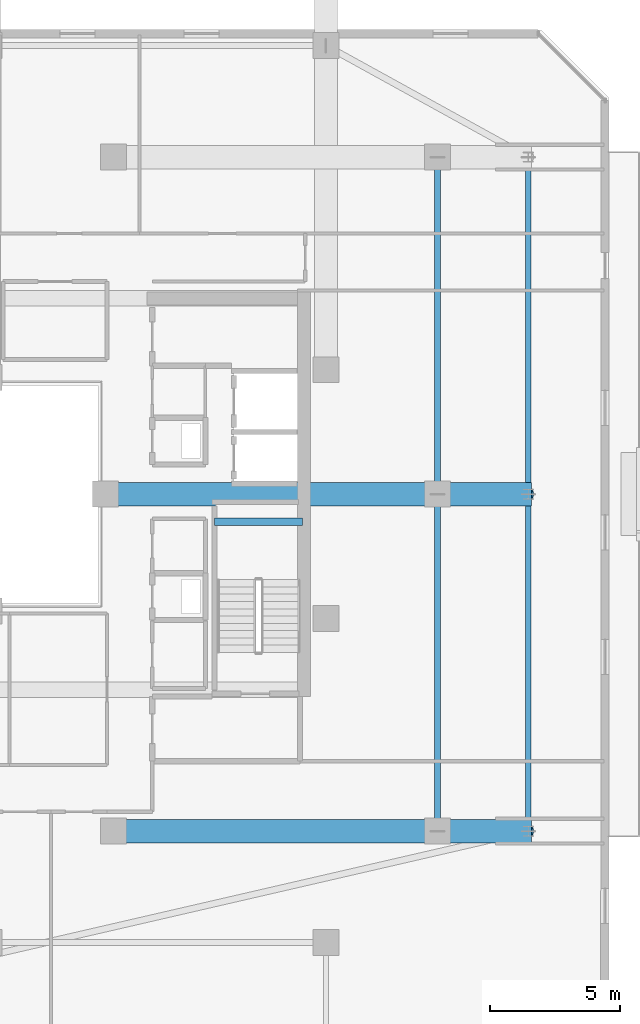
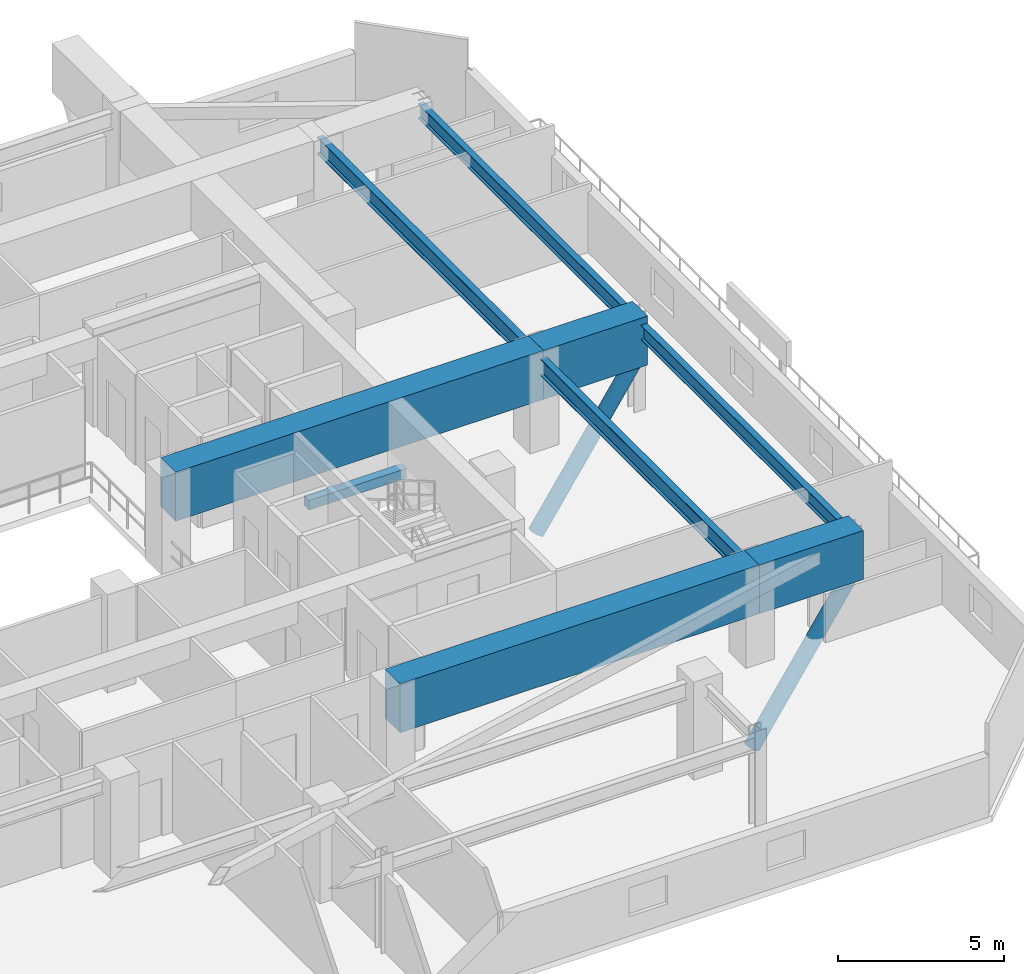
# One storey, part 13 of 34: 9 beams, 2 members.
"""IFC4 building model written with IfcOpenShell, lengths in metres."""

from ifc_helpers import new_model, si_unit, direction, frame, origin, origin_2d, place, context, subcontext, project, spatial, rectangle, hollow_circle, i_section, extrude, material, material_profile, profile_set, type_object, element, save


model = new_model("IFC4")

# Units and contexts
model_context = context("Model", 3, precision=1e-05, world=origin(), true_north=direction((0.0, 1.0)))
body_context = subcontext(model_context, "Body", "Model", "MODEL_VIEW")
ifc_project = project(units=[si_unit("LENGTHUNIT", "METRE"), si_unit("AREAUNIT", "SQUARE_METRE"), si_unit("VOLUMEUNIT", "CUBIC_METRE"), si_unit("PLANEANGLEUNIT", "RADIAN"), si_unit("MASSUNIT", "GRAM", prefix="KILO")], contexts=[model_context])

# Site, building, storey
site_placement = place(None, origin())
site = spatial("IfcSite", under=ifc_project, at=site_placement, CompositionType="ELEMENT")
building_placement = place(site_placement, origin())
building = spatial("IfcBuilding", under=site, at=building_placement, Name="Thornwick Lancets Civic Towers", CompositionType="ELEMENT")
storey_placement = place(building_placement, frame((0.0, 0.0, 251.10009765625)))
storey = spatial("IfcBuildingStorey", under=building, at=storey_placement, Name="L67", CompositionType="ELEMENT", Elevation=251.10009765625)

# Beams
ifc_material_1 = material(Name="Steel S355JR", Category="steel")
ifc_material_profile_1 = material_profile(ifc_material_1, i_section(OverallWidth=0.210693359375, OverallDepth=0.53955078125, WebThickness=0.01171875, FlangeThickness=0.018798828125, FilletRadius=0.0126953125, at=origin_2d()), Name="UKB 533x210x109")
ifc_profile_set_1 = profile_set([ifc_material_profile_1], Name="Steel S355JR")
beam_type_1 = type_object("IfcBeamType", Name="BM_EDGE_533_109", PredefinedType="SPANDREL", material=ifc_profile_set_1)
beam_1_placement = place(storey_placement, frame((109.300048828125, 14.0, 3.0703125), z_axis=(0.0, 1.0, 0.0), x_axis=(-1.0, 0.0, 0.0)))
element("IfcBeam", 1, at=beam_1_placement, inside=storey, type_object=beam_type_1, Name="BM-EDGE-L67-B-S0-1", PredefinedType="SPANDREL", context=body_context, shape_type="SweptSolid", body=[
    extrude(i_section(OverallWidth=0.210693359375, OverallDepth=0.53955078125, WebThickness=0.01171875, FlangeThickness=0.018798828125, FilletRadius=0.0126953125, at=origin_2d()), origin(), (0.0, 0.0, 1.0), 13.0),
])
beam_2_placement = place(storey_placement, frame((109.300048828125, 27.080078125, 3.0703125), z_axis=(0.0, 1.0, 0.0), x_axis=(-1.0, 0.0, 0.0)))
element("IfcBeam", 2, at=beam_2_placement, inside=storey, type_object=beam_type_1, Name="BM-EDGE-L67-B-S0-2", PredefinedType="SPANDREL", context=body_context, shape_type="SweptSolid", body=[
    extrude(i_section(OverallWidth=0.210693359375, OverallDepth=0.53955078125, WebThickness=0.01171875, FlangeThickness=0.018798828125, FilletRadius=0.0126953125, at=origin_2d()), origin(), (0.0, 0.0, 1.0), 12.919921875),
])
ifc_material_profile_2 = material_profile(ifc_material_1, i_section(OverallWidth=0.230224609375, OverallDepth=0.6171875, WebThickness=0.01318359375, FlangeThickness=0.022216796875, FilletRadius=0.0126953125, at=origin_2d()), Name="UKB 610x229x140")
ifc_profile_set_2 = profile_set([ifc_material_profile_2], Name="Steel S355JR")
beam_type_2 = type_object("IfcBeamType", Name="BM_GIRD_610_140", PredefinedType="BEAM", material=ifc_profile_set_2)
beam_3_placement = place(storey_placement, frame((105.800048828125, 14.0, 3.03125), z_axis=(0.0, 1.0, 0.0), x_axis=(-1.0, 0.0, 0.0)))
element("IfcBeam", 3, at=beam_3_placement, inside=storey, type_object=beam_type_2, Name="BM-SPINE-L67-B-0-1", PredefinedType="BEAM", context=body_context, shape_type="SweptSolid", body=[
    extrude(i_section(OverallWidth=0.230224609375, OverallDepth=0.6171875, WebThickness=0.01318359375, FlangeThickness=0.022216796875, FilletRadius=0.0126953125, at=origin_2d()), origin(), (0.0, 0.0, 1.0), 13.0),
])
beam_4_placement = place(storey_placement, frame((105.800048828125, 27.080078125, 3.03125), z_axis=(0.0, 1.0, 0.0), x_axis=(-1.0, 0.0, 0.0)))
element("IfcBeam", 4, at=beam_4_placement, inside=storey, type_object=beam_type_2, Name="BM-SPINE-L67-B-1-2", PredefinedType="BEAM", context=body_context, shape_type="SweptSolid", body=[
    extrude(i_section(OverallWidth=0.230224609375, OverallDepth=0.6171875, WebThickness=0.01318359375, FlangeThickness=0.022216796875, FilletRadius=0.0126953125, at=origin_2d()), origin(), (0.0, 0.0, 1.0), 12.919921875),
])
ifc_material_2 = material(Name="Concrete C40/50", Category="concrete")
ifc_material_profile_3 = material_profile(ifc_material_2, rectangle(XDim=0.300048828125, YDim=0.35009765625, at=origin_2d()), Name="RC 300x350")
ifc_profile_set_3 = profile_set([ifc_material_profile_3], Name="Concrete C40/50")
beam_type_3 = type_object("IfcBeamType", Name="BM_STAIR_LDG", PredefinedType="BEAM", material=ifc_profile_set_3)
beam_5_placement = place(storey_placement, frame((100.60009765625, 25.93505859375, 1.3779296875), z_axis=(-1.0, 0.0, 0.0), x_axis=(0.0, -1.0, 0.0)))
element("IfcBeam", 5, at=beam_5_placement, inside=storey, type_object=beam_type_3, Name="L67 ST-B1 Landing Support Beam 1", PredefinedType="BEAM", context=body_context, shape_type="SweptSolid", body=[
    extrude(rectangle(XDim=0.300048828125, YDim=0.35009765625, at=origin_2d()), origin(), (0.0, 0.0, 1.0), 3.400146484375),
])
ifc_material_3 = material(Name="Concrete C60/75", Category="concrete")
ifc_material_profile_4 = material_profile(ifc_material_3, rectangle(XDim=0.89990234375, YDim=1.800048828125, at=origin_2d()), Name="RC 900x1800")
ifc_profile_set_4 = profile_set([ifc_material_profile_4], Name="Concrete C60/75")
beam_type_4 = type_object("IfcBeamType", Name="BM_TR_RC1800", PredefinedType="BEAM", material=ifc_profile_set_4)
beam_6_placement = place(storey_placement, frame((93.300048828125, 14.0, 2.699951171875), z_axis=(1.0, 0.0, 0.0), x_axis=(0.0, 1.0, 0.0)))
element("IfcBeam", 6, at=beam_6_placement, inside=storey, type_object=beam_type_4, Name="TG-BACK-L68-B01", PredefinedType="BEAM", context=body_context, shape_type="SweptSolid", body=[
    extrude(rectangle(XDim=0.89990234375, YDim=1.800048828125, at=origin_2d()), origin(), (0.0, 0.0, 1.0), 12.5),
])
beam_7_placement = place(storey_placement, frame((105.800048828125, 14.0, 2.699951171875), z_axis=(1.0, 0.0, 0.0), x_axis=(0.0, 1.0, 0.0)))
element("IfcBeam", 7, at=beam_7_placement, inside=storey, type_object=beam_type_4, Name="TG-CANT-L68-B01", PredefinedType="BEAM", context=body_context, shape_type="SweptSolid", body=[
    extrude(rectangle(XDim=0.89990234375, YDim=1.800048828125, at=origin_2d()), origin(), (0.0, 0.0, 1.0), 3.619873046875),
])
beam_8_placement = place(storey_placement, frame((93.0, 27.0, 2.699951171875), z_axis=(1.0, 0.0, 0.0), x_axis=(0.0, 1.0, 0.0)))
element("IfcBeam", 8, at=beam_8_placement, inside=storey, type_object=beam_type_4, Name="TG-BACK-L68-B02", PredefinedType="BEAM", context=body_context, shape_type="SweptSolid", body=[
    extrude(rectangle(XDim=0.89990234375, YDim=1.800048828125, at=origin_2d()), origin(), (0.0, 0.0, 1.0), 12.800048828125),
])
beam_9_placement = place(storey_placement, frame((105.800048828125, 27.0, 2.699951171875), z_axis=(1.0, 0.0, 0.0), x_axis=(0.0, 1.0, 0.0)))
element("IfcBeam", 9, at=beam_9_placement, inside=storey, type_object=beam_type_4, Name="TG-CANT-L68-B02", PredefinedType="BEAM", context=body_context, shape_type="SweptSolid", body=[
    extrude(rectangle(XDim=0.89990234375, YDim=1.800048828125, at=origin_2d()), origin(), (0.0, 0.0, 1.0), 3.619873046875),
])

# Members
ifc_material_4 = material(Name="Steel S460M", Category="steel")
ifc_material_profile_5 = material_profile(ifc_material_4, hollow_circle(Radius=0.25390625, WallThickness=0.02490234375, at=origin_2d()), Name="CHS 508x25")
ifc_profile_set_5 = profile_set([ifc_material_profile_5], Name="Steel S460M")
member_type = type_object("IfcMemberType", Name="MEM_STRUT_CHS508", PredefinedType="STRUT", material=ifc_profile_set_5)
for number, where, z_axis, x_axis, name in (
    (10, (105.800048828125, 14.0, -3.35009765625), (0.556167580628, 0.0, 0.831070166868), (0.0, 1.0, 0.0), "L68 Jenga Transfer Raking Strut B01"),
    (11, (105.800048828125, 27.0, -3.35009765625), (0.556167580628, 0.0, 0.831070166868), (0.0, 1.0, 0.0), "L68 Jenga Transfer Raking Strut B02"),
):
    element("IfcMember", number, at=place(storey_placement, frame(where, z_axis=z_axis, x_axis=x_axis)), inside=storey, type_object=member_type, Name=name, PredefinedType="STRUT", context=body_context, shape_type="SweptSolid", body=[
        extrude(hollow_circle(Radius=0.25390625, WallThickness=0.02490234375, at=origin_2d()), origin(), (0.0, 0.0, 1.0), 6.29296875),
    ])

save(model, "model.ifc")
